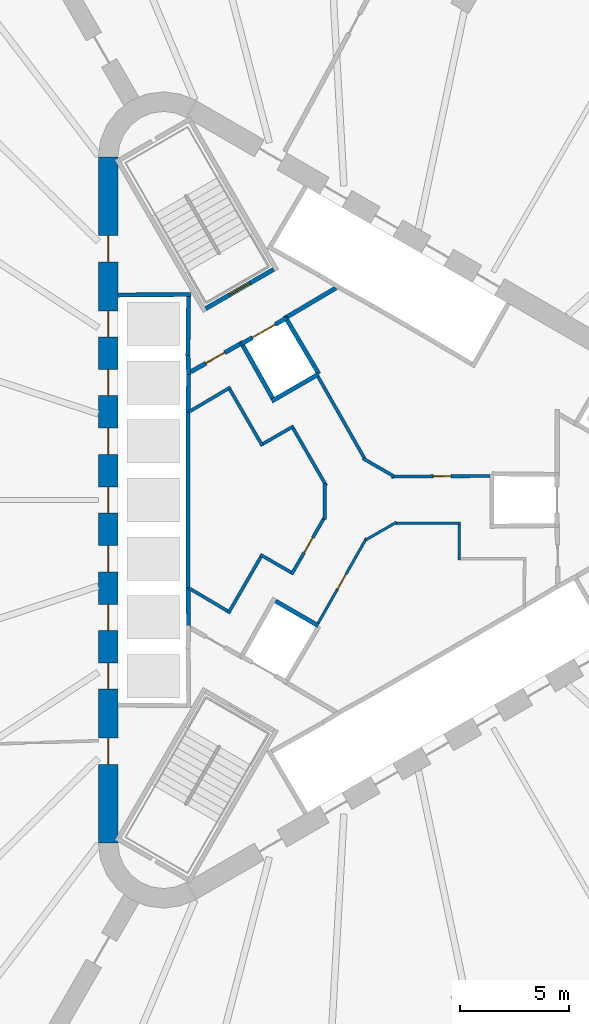
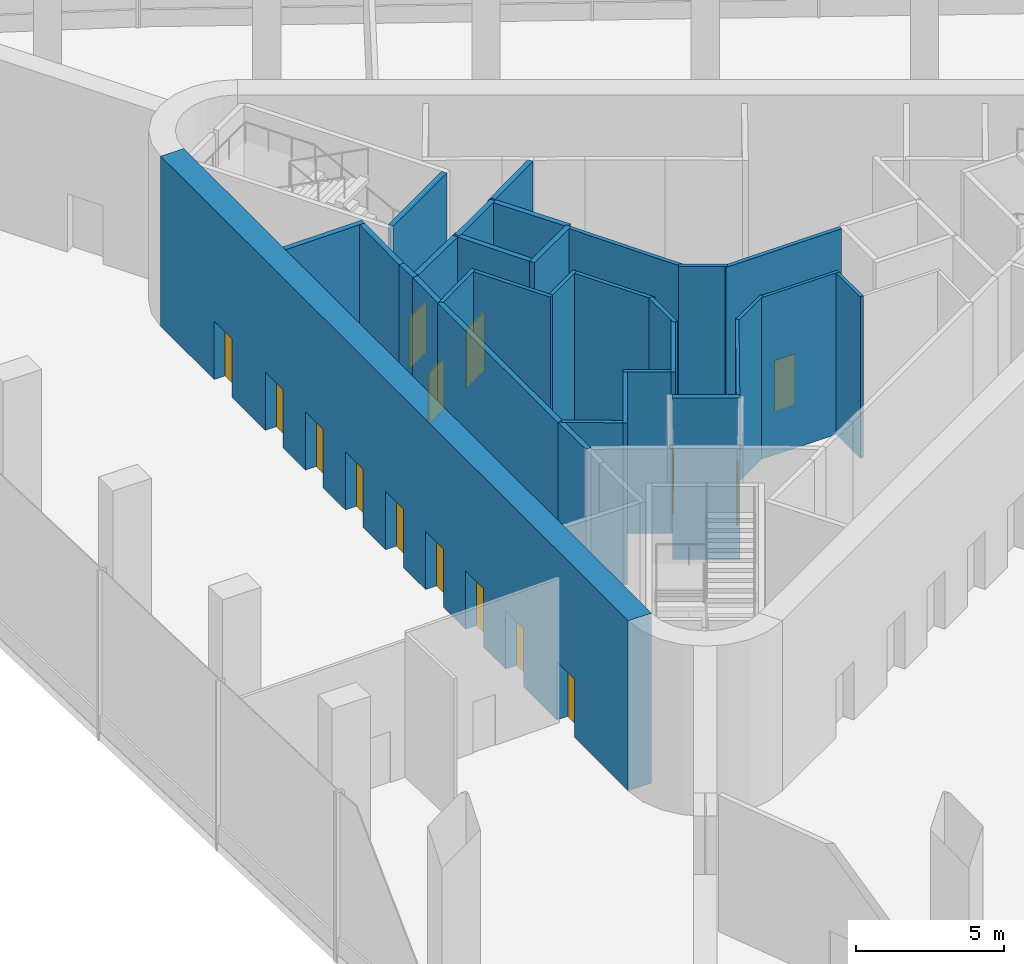
# One storey, part 9 of 15: 31 walls, 15 doors, 15 openings.
"""IFC4 building model written with IfcOpenShell, lengths in metres."""

from ifc_helpers import new_model, si_unit, direction, frame, frame_2d, origin, place, context, subcontext, project, spatial, rectangle, extrude, material, layer, layer_set, type_object, element, fill, save


model = new_model("IFC4")

# Units and contexts
model_context = context("Model", 3, precision=1e-05, world=origin(), true_north=direction((0.0, 1.0)))
body_context = subcontext(model_context, "Body", "Model", "MODEL_VIEW")
ifc_project = project(units=[si_unit("LENGTHUNIT", "METRE"), si_unit("AREAUNIT", "SQUARE_METRE"), si_unit("VOLUMEUNIT", "CUBIC_METRE"), si_unit("PLANEANGLEUNIT", "RADIAN"), si_unit("MASSUNIT", "GRAM", prefix="KILO")], contexts=[model_context])

# Site, building, storey
site_placement = place(None, origin())
site = spatial("IfcSite", under=ifc_project, at=site_placement, CompositionType="ELEMENT")
building_placement = place(site_placement, origin())
building = spatial("IfcBuilding", under=site, at=building_placement, Name="Tanit Gate Tower", CompositionType="ELEMENT")
storey_placement = place(building_placement, frame((0.0, 0.0, 156.199951171875)))
storey = spatial("IfcBuildingStorey", under=building, at=storey_placement, Name="L34", CompositionType="ELEMENT", Elevation=156.199951171875)

# Wall, openings, doors
ifc_material_1 = material(Name="Concrete C60/75", Category="concrete")
ifc_layer_1 = layer(ifc_material_1, 0.89990234375)
ifc_layer_set_1 = layer_set([ifc_layer_1], Name="CORE WALL 900 C60/75")
wall_type_1 = type_object("IfcWallType", Name="CORE WALL 900 C60/75", PredefinedType="SHEAR", material=ifc_layer_set_1)
wall_1_placement = place(storey_placement, frame((-11.64990234375, 15.76171875, 0.0), z_axis=(0.0, 0.0, 1.0), x_axis=(0.0, -1.0, 0.0)))
wall_1 = element("IfcWall", 1, at=wall_1_placement, inside=storey, type_object=wall_type_1, Name="CORE WALL", PredefinedType="SHEAR", context=body_context, shape_type="SweptSolid", body=[
    extrude(rectangle(XDim=31.5234375, YDim=0.89990234375, at=frame_2d((15.76171875, 0.0))), origin(), (0.0, 0.0, 1.0), 7.0),
])
opening_1_placement = place(wall_1_placement, frame((7.061767578125, 0.0, 0.0)))
opening_1 = element("IfcOpeningElement", 2, at=opening_1_placement, cuts=wall_1, Name="Opening LDML1-34", PredefinedType="OPENING", context=body_context, shape_type="SweptSolid", body=[
    extrude(rectangle(XDim=1.199951171875, YDim=2.39990234375, at=frame_2d((0.60009765625, 1.199951171875))), frame((0.0, 0.4599609375, 0.0), z_axis=(0.0, -1.0, 0.0), x_axis=(1.0, 0.0, 0.0)), (0.0, 0.0, 1.0), 0.919921875),
])
opening_2_placement = place(wall_1_placement, frame((9.76171875, 0.0, 0.0)))
opening_2 = element("IfcOpeningElement", 3, at=opening_2_placement, cuts=wall_1, Name="Opening LDML2-34", PredefinedType="OPENING", context=body_context, shape_type="SweptSolid", body=[
    extrude(rectangle(XDim=1.199951171875, YDim=2.39990234375, at=frame_2d((0.60009765625, 1.199951171875))), frame((0.0, 0.4599609375, 0.0), z_axis=(0.0, -1.0, 0.0), x_axis=(1.0, 0.0, 0.0)), (0.0, 0.0, 1.0), 0.919921875),
])
opening_3_placement = place(wall_1_placement, frame((12.461669921875, 0.0, 0.0)))
opening_3 = element("IfcOpeningElement", 4, at=opening_3_placement, cuts=wall_1, Name="Opening LDML3-34", PredefinedType="OPENING", context=body_context, shape_type="SweptSolid", body=[
    extrude(rectangle(XDim=1.199951171875, YDim=2.39990234375, at=frame_2d((0.60009765625, 1.199951171875))), frame((0.0, 0.4599609375, 0.0), z_axis=(0.0, -1.0, 0.0), x_axis=(1.0, 0.0, 0.0)), (0.0, 0.0, 1.0), 0.919921875),
])
opening_4_placement = place(wall_1_placement, frame((15.16162109375, 0.0, 0.0)))
opening_4 = element("IfcOpeningElement", 5, at=opening_4_placement, cuts=wall_1, Name="Opening LDML4-34", PredefinedType="OPENING", context=body_context, shape_type="SweptSolid", body=[
    extrude(rectangle(XDim=1.199951171875, YDim=2.39990234375, at=frame_2d((0.60009765625, 1.199951171875))), frame((0.0, 0.4599609375, 0.0), z_axis=(0.0, -1.0, 0.0), x_axis=(1.0, 0.0, 0.0)), (0.0, 0.0, 1.0), 0.919921875),
])
opening_5_placement = place(wall_1_placement, frame((17.86181640625, 0.0, 0.0)))
opening_5 = element("IfcOpeningElement", 6, at=opening_5_placement, cuts=wall_1, Name="Opening LDML5-34", PredefinedType="OPENING", context=body_context, shape_type="SweptSolid", body=[
    extrude(rectangle(XDim=1.199951171875, YDim=2.39990234375, at=frame_2d((0.60009765625, 1.199951171875))), frame((0.0, 0.4599609375, 0.0), z_axis=(0.0, -1.0, 0.0), x_axis=(1.0, 0.0, 0.0)), (0.0, 0.0, 1.0), 0.919921875),
])
opening_6_placement = place(wall_1_placement, frame((20.561767578125, 0.0, 0.0)))
opening_6 = element("IfcOpeningElement", 7, at=opening_6_placement, cuts=wall_1, Name="Opening LDML6-34", PredefinedType="OPENING", context=body_context, shape_type="SweptSolid", body=[
    extrude(rectangle(XDim=1.199951171875, YDim=2.39990234375, at=frame_2d((0.60009765625, 1.199951171875))), frame((0.0, 0.4599609375, 0.0), z_axis=(0.0, -1.0, 0.0), x_axis=(1.0, 0.0, 0.0)), (0.0, 0.0, 1.0), 0.919921875),
])
opening_7_placement = place(wall_1_placement, frame((23.26171875, 0.0, 0.0)))
opening_7 = element("IfcOpeningElement", 8, at=opening_7_placement, cuts=wall_1, Name="Opening LDML7-34", PredefinedType="OPENING", context=body_context, shape_type="SweptSolid", body=[
    extrude(rectangle(XDim=1.199951171875, YDim=2.39990234375, at=frame_2d((0.60009765625, 1.199951171875))), frame((0.0, 0.4599609375, 0.0), z_axis=(0.0, -1.0, 0.0), x_axis=(1.0, 0.0, 0.0)), (0.0, 0.0, 1.0), 0.919921875),
])
opening_8_placement = place(wall_1_placement, frame((3.61181640625, 0.0, 0.0)))
opening_8 = element("IfcOpeningElement", 9, at=opening_8_placement, cuts=wall_1, Name="Opening F12-34-FL2", PredefinedType="OPENING", context=body_context, shape_type="SweptSolid", body=[
    extrude(rectangle(XDim=1.199951171875, YDim=2.39990234375, at=frame_2d((0.60009765625, 1.199951171875))), frame((0.0, 0.4599609375, 0.0), z_axis=(0.0, -1.0, 0.0), x_axis=(1.0, 0.0, 0.0)), (0.0, 0.0, 1.0), 0.919921875),
])
opening_9_placement = place(wall_1_placement, frame((26.711669921875, 0.0, 0.0)))
opening_9 = element("IfcOpeningElement", 10, at=opening_9_placement, cuts=wall_1, Name="Opening F12-34-S3", PredefinedType="OPENING", context=body_context, shape_type="SweptSolid", body=[
    extrude(rectangle(XDim=1.199951171875, YDim=2.39990234375, at=frame_2d((0.60009765625, 1.199951171875))), frame((0.0, 0.4599609375, 0.0), z_axis=(0.0, -1.0, 0.0), x_axis=(1.0, 0.0, 0.0)), (0.0, 0.0, 1.0), 0.919921875),
])
ifc_material_2 = material(Name="Fire-rated steel door leaf", Category="steel")
door_type_1 = type_object("IfcDoorType", Name="INT-DOOR-FIRE-LOBBY-1200", OperationType="NOTDEFINED", PredefinedType="USERDEFINED", material=ifc_material_2)
door_1_placement = place(opening_8_placement, origin())
door_1 = element("IfcDoor", 11, at=door_1_placement, inside=storey, type_object=door_type_1, Name="Door F12-34-FL2", ObjectType="FIRE DOOR", OperationType="SINGLE_SWING_LEFT", OverallHeight=2.39990234375, OverallWidth=1.199951171875, PredefinedType="USERDEFINED", context=body_context, shape_type="SweptSolid", body=[
    extrude(rectangle(XDim=1.199951171875, YDim=2.39990234375, at=frame_2d((0.60009765625, 1.199951171875))), frame((0.0, 0.02490234375, 0.0), z_axis=(0.0, -1.0, 0.0), x_axis=(1.0, 0.0, 0.0)), (0.0, 0.0, 1.0), 0.050048828125),
])
fill(opening_8, door_1)
door_2_placement = place(opening_9_placement, origin())
door_2 = element("IfcDoor", 12, at=door_2_placement, inside=storey, type_object=door_type_1, Name="Door F12-34-S3", ObjectType="FIRE DOOR", OperationType="SINGLE_SWING_RIGHT", OverallHeight=2.39990234375, OverallWidth=1.199951171875, PredefinedType="USERDEFINED", context=body_context, shape_type="SweptSolid", body=[
    extrude(rectangle(XDim=1.199951171875, YDim=2.39990234375, at=frame_2d((0.60009765625, 1.199951171875))), frame((0.0, 0.02490234375, 0.0), z_axis=(0.0, -1.0, 0.0), x_axis=(1.0, 0.0, 0.0)), (0.0, 0.0, 1.0), 0.050048828125),
])
fill(opening_9, door_2)
ifc_material_3 = material(Name="Stainless steel sliding door leaf", Category="steel")
door_type_2 = type_object("IfcDoorType", Name="INT-DOOR-LANDING-1200", OperationType="NOTDEFINED", PredefinedType="USERDEFINED", material=ifc_material_3)
door_3_placement = place(opening_1_placement, origin())
door_3 = element("IfcDoor", 13, at=door_3_placement, inside=storey, type_object=door_type_2, Name="Door LDML1-34", ObjectType="LANDING DOOR", OperationType="SLIDING_TO_LEFT", OverallHeight=2.39990234375, OverallWidth=1.199951171875, PredefinedType="USERDEFINED", context=body_context, shape_type="SweptSolid", body=[
    extrude(rectangle(XDim=1.199951171875, YDim=2.39990234375, at=frame_2d((0.60009765625, 1.199951171875))), frame((0.0, 0.02490234375, 0.0), z_axis=(0.0, -1.0, 0.0), x_axis=(1.0, 0.0, 0.0)), (0.0, 0.0, 1.0), 0.050048828125),
])
fill(opening_1, door_3)
door_4_placement = place(opening_2_placement, origin())
door_4 = element("IfcDoor", 14, at=door_4_placement, inside=storey, type_object=door_type_2, Name="Door LDML2-34", ObjectType="LANDING DOOR", OperationType="SLIDING_TO_LEFT", OverallHeight=2.39990234375, OverallWidth=1.199951171875, PredefinedType="USERDEFINED", context=body_context, shape_type="SweptSolid", body=[
    extrude(rectangle(XDim=1.199951171875, YDim=2.39990234375, at=frame_2d((0.60009765625, 1.199951171875))), frame((0.0, 0.02490234375, 0.0), z_axis=(0.0, -1.0, 0.0), x_axis=(1.0, 0.0, 0.0)), (0.0, 0.0, 1.0), 0.050048828125),
])
fill(opening_2, door_4)
door_5_placement = place(opening_3_placement, origin())
door_5 = element("IfcDoor", 15, at=door_5_placement, inside=storey, type_object=door_type_2, Name="Door LDML3-34", ObjectType="LANDING DOOR", OperationType="SLIDING_TO_LEFT", OverallHeight=2.39990234375, OverallWidth=1.199951171875, PredefinedType="USERDEFINED", context=body_context, shape_type="SweptSolid", body=[
    extrude(rectangle(XDim=1.199951171875, YDim=2.39990234375, at=frame_2d((0.60009765625, 1.199951171875))), frame((0.0, 0.02490234375, 0.0), z_axis=(0.0, -1.0, 0.0), x_axis=(1.0, 0.0, 0.0)), (0.0, 0.0, 1.0), 0.050048828125),
])
fill(opening_3, door_5)
door_6_placement = place(opening_4_placement, origin())
door_6 = element("IfcDoor", 16, at=door_6_placement, inside=storey, type_object=door_type_2, Name="Door LDML4-34", ObjectType="LANDING DOOR", OperationType="SLIDING_TO_LEFT", OverallHeight=2.39990234375, OverallWidth=1.199951171875, PredefinedType="USERDEFINED", context=body_context, shape_type="SweptSolid", body=[
    extrude(rectangle(XDim=1.199951171875, YDim=2.39990234375, at=frame_2d((0.60009765625, 1.199951171875))), frame((0.0, 0.02490234375, 0.0), z_axis=(0.0, -1.0, 0.0), x_axis=(1.0, 0.0, 0.0)), (0.0, 0.0, 1.0), 0.050048828125),
])
fill(opening_4, door_6)
door_7_placement = place(opening_5_placement, origin())
door_7 = element("IfcDoor", 17, at=door_7_placement, inside=storey, type_object=door_type_2, Name="Door LDML5-34", ObjectType="LANDING DOOR", OperationType="SLIDING_TO_LEFT", OverallHeight=2.39990234375, OverallWidth=1.199951171875, PredefinedType="USERDEFINED", context=body_context, shape_type="SweptSolid", body=[
    extrude(rectangle(XDim=1.199951171875, YDim=2.39990234375, at=frame_2d((0.60009765625, 1.199951171875))), frame((0.0, 0.02490234375, 0.0), z_axis=(0.0, -1.0, 0.0), x_axis=(1.0, 0.0, 0.0)), (0.0, 0.0, 1.0), 0.050048828125),
])
fill(opening_5, door_7)
door_8_placement = place(opening_6_placement, origin())
door_8 = element("IfcDoor", 18, at=door_8_placement, inside=storey, type_object=door_type_2, Name="Door LDML6-34", ObjectType="LANDING DOOR", OperationType="SLIDING_TO_LEFT", OverallHeight=2.39990234375, OverallWidth=1.199951171875, PredefinedType="USERDEFINED", context=body_context, shape_type="SweptSolid", body=[
    extrude(rectangle(XDim=1.199951171875, YDim=2.39990234375, at=frame_2d((0.60009765625, 1.199951171875))), frame((0.0, 0.02490234375, 0.0), z_axis=(0.0, -1.0, 0.0), x_axis=(1.0, 0.0, 0.0)), (0.0, 0.0, 1.0), 0.050048828125),
])
fill(opening_6, door_8)
door_9_placement = place(opening_7_placement, origin())
door_9 = element("IfcDoor", 19, at=door_9_placement, inside=storey, type_object=door_type_2, Name="Door LDML7-34", ObjectType="LANDING DOOR", OperationType="SLIDING_TO_LEFT", OverallHeight=2.39990234375, OverallWidth=1.199951171875, PredefinedType="USERDEFINED", context=body_context, shape_type="SweptSolid", body=[
    extrude(rectangle(XDim=1.199951171875, YDim=2.39990234375, at=frame_2d((0.60009765625, 1.199951171875))), frame((0.0, 0.02490234375, 0.0), z_axis=(0.0, -1.0, 0.0), x_axis=(1.0, 0.0, 0.0)), (0.0, 0.0, 1.0), 0.050048828125),
])
fill(opening_7, door_9)

# Wall
ifc_material_4 = material(Name="Fire-rated gypsum board partition")
ifc_layer_2 = layer(ifc_material_4, 0.199951171875)
ifc_layer_set_2 = layer_set([ifc_layer_2], Name="INT-WALL-COMPARTMENT")
wall_type_2 = type_object("IfcWallType", Name="INT-WALL-COMPARTMENT", PredefinedType="PARTITIONING", material=ifc_layer_set_2)
wall_2_placement = place(storey_placement, frame((-1.1796875, 9.744384765625, 0.0), z_axis=(0.0, 0.0, 1.0), x_axis=(-0.860615607571, -0.509255118781, 0.0)))
element("IfcWall", 20, at=wall_2_placement, inside=storey, type_object=wall_type_2, Name="Wall Compartment W064", PredefinedType="PARTITIONING", context=body_context, shape_type="SweptSolid", body=[
    extrude(rectangle(XDim=2.58056640625, YDim=0.199951171875, at=frame_2d((1.290283203125, 0.0))), origin(), (0.0, 0.0, 1.0), 6.650146484375),
])

# Wall, opening, door
wall_3_placement = place(storey_placement, frame((-5.600341796875, 7.16015625, 0.0), z_axis=(0.0, 0.0, 1.0), x_axis=(-0.871363259478, -0.490638431059, 0.0)))
wall_3 = element("IfcWall", 21, at=wall_3_placement, inside=storey, type_object=wall_type_2, Name="Wall Compartment W065", PredefinedType="PARTITIONING", context=body_context, shape_type="SweptSolid", body=[
    extrude(rectangle(XDim=2.5810546875, YDim=0.199951171875, at=frame_2d((1.29052734375, 0.0))), origin(), (0.0, 0.0, 1.0), 6.650146484375),
])
opening_10_placement = place(wall_3_placement, frame((0.79052734375, 0.0, 0.0)))
opening_10 = element("IfcOpeningElement", 22, at=opening_10_placement, cuts=wall_3, Name="Opening F10-34-05", PredefinedType="OPENING", context=body_context, shape_type="SweptSolid", body=[
    extrude(rectangle(XDim=1.0, YDim=2.10009765625, at=frame_2d((0.5, 1.050048828125))), frame((0.0, 0.10986328125, 0.0), z_axis=(0.0, -1.0, 0.0), x_axis=(1.0, 0.0, 0.0)), (0.0, 0.0, 1.0), 0.219970703125),
])
ifc_material_5 = material(Name="Fire-rated steel door leaf", Category="steel")
door_type_3 = type_object("IfcDoorType", Name="INT-DOOR-FIRE-1000", OperationType="NOTDEFINED", PredefinedType="USERDEFINED", material=ifc_material_5)
door_10_placement = place(opening_10_placement, origin())
door_10 = element("IfcDoor", 23, at=door_10_placement, inside=storey, type_object=door_type_3, Name="Door F10-34-05", ObjectType="FIRE DOOR", OperationType="SINGLE_SWING_RIGHT", OverallHeight=2.10009765625, OverallWidth=1.0, PredefinedType="USERDEFINED", context=body_context, shape_type="SweptSolid", body=[
    extrude(rectangle(XDim=1.0, YDim=2.10009765625, at=frame_2d((0.5, 1.050048828125))), frame((0.0, 0.02490234375, 0.0), z_axis=(0.0, -1.0, 0.0), x_axis=(1.0, 0.0, 0.0)), (0.0, 0.0, 1.0), 0.050048828125),
])
fill(opening_10, door_10)

ifc_material_6 = material(Name="Gypsum board partition")
ifc_layer_3 = layer(ifc_material_6, 0.1201171875)
ifc_layer_set_3 = layer_set([ifc_layer_3], Name="INT-WALL-PARTITION")
wall_type_3 = type_object("IfcWallType", Name="INT-WALL-PARTITION", PredefinedType="PARTITIONING", material=ifc_layer_set_3)
wall_4_placement = place(storey_placement, frame((0.223876953125, -1.760986328125, 0.0), z_axis=(0.0, 0.0, 1.0), x_axis=(-0.494327216836, -0.869275907118, 0.0)))
wall_4 = element("IfcWall", 24, at=wall_4_placement, inside=storey, type_object=wall_type_3, Name="Wall Partition W071", PredefinedType="PARTITIONING", context=body_context, shape_type="SweptSolid", body=[
    extrude(rectangle(XDim=4.487060546875, YDim=0.1201171875, at=frame_2d((2.24365234375, 0.0))), origin(), (0.0, 0.0, 1.0), 6.650146484375),
])
opening_11_placement = place(wall_4_placement, frame((1.89453125, 0.0, 0.0)))
opening_11 = element("IfcOpeningElement", 25, at=opening_11_placement, cuts=wall_4, Name="Opening R08-34-11", PredefinedType="OPENING", context=body_context, shape_type="SweptSolid", body=[
    extrude(rectangle(XDim=0.800048828125, YDim=2.10009765625, at=frame_2d((0.39990234375, 1.050048828125))), frame((0.0, 0.070068359375, 0.0), z_axis=(0.0, -1.0, 0.0), x_axis=(1.0, 0.0, 0.0)), (0.0, 0.0, 1.0), 0.14013671875),
])
ifc_material_7 = material(Name="Timber door leaf", Category="wood")
door_type_4 = type_object("IfcDoorType", Name="INT-DOOR-RISER-800", OperationType="NOTDEFINED", PredefinedType="USERDEFINED", material=ifc_material_7)
door_11_placement = place(opening_11_placement, origin())
door_11 = element("IfcDoor", 26, at=door_11_placement, inside=storey, type_object=door_type_4, Name="Door R08-34-11", ObjectType="FIRE DOOR", OperationType="SINGLE_SWING_RIGHT", OverallHeight=2.10009765625, OverallWidth=0.800048828125, PredefinedType="USERDEFINED", context=body_context, shape_type="SweptSolid", body=[
    extrude(rectangle(XDim=0.800048828125, YDim=2.10009765625, at=frame_2d((0.39990234375, 1.050048828125))), frame((0.0, 0.02490234375, 0.0), z_axis=(0.0, -1.0, 0.0), x_axis=(1.0, 0.0, 0.0)), (0.0, 0.0, 1.0), 0.050048828125),
])
fill(opening_11, door_11)

# Walls
wall_5_placement = place(storey_placement, frame((1.60546875, -1.02294921875, 0.0), z_axis=(0.0, 0.0, 1.0), x_axis=(-0.866001581989, -0.50004125829, 0.0)))
element("IfcWall", 27, at=wall_5_placement, inside=storey, type_object=wall_type_3, Name="Wall Partition W072", PredefinedType="PARTITIONING", context=body_context, shape_type="SweptSolid", body=[
    extrude(rectangle(XDim=1.635009765625, YDim=0.1201171875, at=frame_2d((0.8173828125, 0.0))), origin(), (0.0, 0.0, 1.0), 6.650146484375),
])
wall_6_placement = place(storey_placement, frame((4.56005859375, -1.074951171875, 0.0), z_axis=(0.0, 0.0, 1.0), x_axis=(-1.0, 0.0, 0.0)))
element("IfcWall", 28, at=wall_6_placement, inside=storey, type_object=wall_type_3, Name="Wall Partition W073", PredefinedType="PARTITIONING", context=body_context, shape_type="SweptSolid", body=[
    extrude(rectangle(XDim=3.02587890625, YDim=0.1201171875, at=frame_2d((1.512939453125, 0.0))), origin(), (0.0, 0.0, 1.0), 6.650146484375),
])
wall_7_placement = place(storey_placement, frame((4.5, -2.760009765625, 0.0), z_axis=(0.0, 0.0, 1.0), x_axis=(0.0, 1.0, 0.0)))
element("IfcWall", 29, at=wall_7_placement, inside=storey, type_object=wall_type_3, Name="Wall Partition W074", PredefinedType="PARTITIONING", context=body_context, shape_type="SweptSolid", body=[
    extrude(rectangle(XDim=1.625, YDim=0.1201171875, at=frame_2d((0.8125, 0.0))), origin(), (0.0, 0.0, 1.0), 6.650146484375),
])

# Wall, opening, door
ifc_material_8 = material(Name="Fire-rated gypsum board partition")
ifc_layer_4 = layer(ifc_material_8, 0.14990234375)
ifc_layer_set_4 = layer_set([ifc_layer_4], Name="INT-WALL-RISER")
wall_type_4 = type_object("IfcWallType", Name="INT-WALL-RISER", PredefinedType="PLUMBINGWALL", material=ifc_layer_set_4)
wall_8_placement = place(storey_placement, frame((1.3876953125, 1.07421875, 0.0), z_axis=(0.0, 0.0, 1.0), x_axis=(0.99997856967, 0.006546770205, 0.0)))
wall_8 = element("IfcWall", 30, at=wall_8_placement, inside=storey, type_object=wall_type_4, Name="Wall Riser W068", PredefinedType="PLUMBINGWALL", context=body_context, shape_type="SweptSolid", body=[
    extrude(rectangle(XDim=4.51220703125, YDim=0.14990234375, at=frame_2d((2.256103515625, 0.0))), origin(), (0.0, 0.0, 1.0), 6.650146484375),
])
opening_12_placement = place(wall_8_placement, frame((1.920166015625, 0.0, 0.0)))
opening_12 = element("IfcOpeningElement", 31, at=opening_12_placement, cuts=wall_8, Name="Opening R08-34-10", PredefinedType="OPENING", context=body_context, shape_type="SweptSolid", body=[
    extrude(rectangle(XDim=0.800048828125, YDim=2.10009765625, at=frame_2d((0.39990234375, 1.050048828125))), frame((0.0, 0.0849609375, 0.0), z_axis=(0.0, -1.0, 0.0), x_axis=(1.0, 0.0, 0.0)), (0.0, 0.0, 1.0), 0.169921875),
])
door_12_placement = place(opening_12_placement, origin())
door_12 = element("IfcDoor", 32, at=door_12_placement, inside=storey, type_object=door_type_4, Name="Door R08-34-10", ObjectType="FIRE DOOR", OperationType="SINGLE_SWING_LEFT", OverallHeight=2.10009765625, OverallWidth=0.800048828125, PredefinedType="USERDEFINED", context=body_context, shape_type="SweptSolid", body=[
    extrude(rectangle(XDim=0.800048828125, YDim=2.10009765625, at=frame_2d((0.39990234375, 1.050048828125))), frame((0.0, 0.02490234375, 0.0), z_axis=(0.0, -1.0, 0.0), x_axis=(1.0, 0.0, 0.0)), (0.0, 0.0, 1.0), 0.050048828125),
])
fill(opening_12, door_12)

# Walls
wall_9_placement = place(storey_placement, frame((0.0625, 1.9140625, 0.0), z_axis=(0.0, 0.0, 1.0), x_axis=(0.866018462269, -0.500012022864, 0.0)))
element("IfcWall", 33, at=wall_9_placement, inside=storey, type_object=wall_type_4, Name="Wall Riser W069", PredefinedType="PLUMBINGWALL", context=body_context, shape_type="SweptSolid", body=[
    extrude(rectangle(XDim=1.654296875, YDim=0.14990234375, at=frame_2d((0.8271484375, 0.0))), origin(), (0.0, 0.0, 1.0), 6.650146484375),
])
wall_10_placement = place(storey_placement, frame((-1.994140625, 5.661376953125, 0.0), z_axis=(0.0, 0.0, 1.0), x_axis=(0.494341211302, -0.869267948798, 0.0)))
element("IfcWall", 34, at=wall_10_placement, inside=storey, type_object=wall_type_4, Name="Wall Riser W070", PredefinedType="PLUMBINGWALL", context=body_context, shape_type="SweptSolid", body=[
    extrude(rectangle(XDim=4.36083984375, YDim=0.14990234375, at=frame_2d((2.180419921875, 0.0))), origin(), (0.0, 0.0, 1.0), 6.650146484375),
])
wall_11_placement = place(storey_placement, frame((-6.023681640625, 5.183349609375, 0.0), z_axis=(0.0, 0.0, 1.0), x_axis=(-0.860126804455, -0.510080268447, 0.0)))
element("IfcWall", 35, at=wall_11_placement, inside=storey, type_object=wall_type_4, Name="Wall Riser W077", PredefinedType="PLUMBINGWALL", context=body_context, shape_type="SweptSolid", body=[
    extrude(rectangle(XDim=2.239501953125, YDim=0.14990234375, at=frame_2d((1.11962890625, 0.0))), origin(), (0.0, 0.0, 1.0), 6.650146484375),
])
wall_12_placement = place(storey_placement, frame((-4.55078125, 2.482177734375, 0.0), z_axis=(0.0, 0.0, 1.0), x_axis=(-0.499990139034, 0.866031096941, 0.0)))
element("IfcWall", 36, at=wall_12_placement, inside=storey, type_object=wall_type_4, Name="Wall Riser W078", PredefinedType="PLUMBINGWALL", context=body_context, shape_type="SweptSolid", body=[
    extrude(rectangle(XDim=3.0, YDim=0.14990234375, at=frame_2d((1.5, 0.0))), origin(), (0.0, 0.0, 1.0), 6.650146484375),
])
wall_13_placement = place(storey_placement, frame((-3.115966796875, 3.397216796875, 0.0), z_axis=(0.0, 0.0, 1.0), x_axis=(-0.866053003207, -0.499952193351, 0.0)))
element("IfcWall", 37, at=wall_13_placement, inside=storey, type_object=wall_type_4, Name="Wall Riser W079", PredefinedType="PLUMBINGWALL", context=body_context, shape_type="SweptSolid", body=[
    extrude(rectangle(XDim=1.625244140625, YDim=0.14990234375, at=frame_2d((0.8125, 0.0))), origin(), (0.0, 0.0, 1.0), 6.650146484375),
])
wall_14_placement = place(storey_placement, frame((-1.623779296875, 0.66259765625, 0.0), z_axis=(0.0, 0.0, 1.0), x_axis=(-0.500035348339, 0.866004994449, 0.0)))
element("IfcWall", 38, at=wall_14_placement, inside=storey, type_object=wall_type_4, Name="Wall Riser W080", PredefinedType="PLUMBINGWALL", context=body_context, shape_type="SweptSolid", body=[
    extrude(rectangle(XDim=3.039306640625, YDim=0.14990234375, at=frame_2d((1.51953125, 0.0))), origin(), (0.0, 0.0, 1.0), 6.650146484375),
])
wall_15_placement = place(storey_placement, frame((-1.688720703125, -0.90478515625, 0.0), z_axis=(0.0, 0.0, 1.0), x_axis=(0.0, 1.0, 0.0)))
element("IfcWall", 39, at=wall_15_placement, inside=storey, type_object=wall_type_4, Name="Wall Riser W081", PredefinedType="PLUMBINGWALL", context=body_context, shape_type="SweptSolid", body=[
    extrude(rectangle(XDim=1.656494140625, YDim=0.14990234375, at=frame_2d((0.828125, 0.0))), origin(), (0.0, 0.0, 1.0), 6.650146484375),
])

# Wall, opening, door
wall_16_placement = place(storey_placement, frame((-3.218505859375, -3.424560546875, 0.0), z_axis=(0.0, 0.0, 1.0), x_axis=(0.499996236806, 0.866027576455, 0.0)))
wall_16 = element("IfcWall", 40, at=wall_16_placement, inside=storey, type_object=wall_type_4, Name="Wall Riser W082", PredefinedType="PLUMBINGWALL", context=body_context, shape_type="SweptSolid", body=[
    extrude(rectangle(XDim=3.0361328125, YDim=0.14990234375, at=frame_2d((1.51806640625, 0.0))), origin(), (0.0, 0.0, 1.0), 6.650146484375),
])
opening_13_placement = place(wall_16_placement, frame((1.155517578125, 0.0, 0.0)))
opening_13 = element("IfcOpeningElement", 41, at=opening_13_placement, cuts=wall_16, Name="Opening R08-34-12", PredefinedType="OPENING", context=body_context, shape_type="SweptSolid", body=[
    extrude(rectangle(XDim=0.800048828125, YDim=2.10009765625, at=frame_2d((0.39990234375, 1.050048828125))), frame((0.0, 0.0849609375, 0.0), z_axis=(0.0, -1.0, 0.0), x_axis=(1.0, 0.0, 0.0)), (0.0, 0.0, 1.0), 0.169921875),
])
door_13_placement = place(opening_13_placement, origin())
door_13 = element("IfcDoor", 42, at=door_13_placement, inside=storey, type_object=door_type_4, Name="Door R08-34-12", ObjectType="FIRE DOOR", OperationType="SINGLE_SWING_RIGHT", OverallHeight=2.10009765625, OverallWidth=0.800048828125, PredefinedType="USERDEFINED", context=body_context, shape_type="SweptSolid", body=[
    extrude(rectangle(XDim=0.800048828125, YDim=2.10009765625, at=frame_2d((0.39990234375, 1.050048828125))), frame((0.0, 0.02490234375, 0.0), z_axis=(0.0, -1.0, 0.0), x_axis=(1.0, 0.0, 0.0)), (0.0, 0.0, 1.0), 0.050048828125),
])
fill(opening_13, door_13)

# Walls
wall_17_placement = place(storey_placement, frame((-4.6533203125, -2.509521484375, 0.0), z_axis=(0.0, 0.0, 1.0), x_axis=(0.866053003207, -0.499952193351, 0.0)))
element("IfcWall", 43, at=wall_17_placement, inside=storey, type_object=wall_type_4, Name="Wall Riser W083", PredefinedType="PLUMBINGWALL", context=body_context, shape_type="SweptSolid", body=[
    extrude(rectangle(XDim=1.625244140625, YDim=0.14990234375, at=frame_2d((0.8125, 0.0))), origin(), (0.0, 0.0, 1.0), 6.650146484375),
])
wall_18_placement = place(storey_placement, frame((-6.125732421875, -5.210205078125, 0.0), z_axis=(0.0, 0.0, 1.0), x_axis=(0.499990139034, 0.866031096941, 0.0)))
element("IfcWall", 44, at=wall_18_placement, inside=storey, type_object=wall_type_4, Name="Wall Riser W084", PredefinedType="PLUMBINGWALL", context=body_context, shape_type="SweptSolid", body=[
    extrude(rectangle(XDim=3.0, YDim=0.14990234375, at=frame_2d((1.5, 0.0))), origin(), (0.0, 0.0, 1.0), 6.650146484375),
])
wall_19_placement = place(storey_placement, frame((-7.949951171875, -4.041015625, 0.0), z_axis=(0.0, 0.0, 1.0), x_axis=(0.860090281069, -0.510141851263, 0.0)))
element("IfcWall", 45, at=wall_19_placement, inside=storey, type_object=wall_type_4, Name="Wall Riser W085", PredefinedType="PLUMBINGWALL", context=body_context, shape_type="SweptSolid", body=[
    extrude(rectangle(XDim=2.08935546875, YDim=0.14990234375, at=frame_2d((1.044677734375, 0.0))), origin(), (0.0, 0.0, 1.0), 6.650146484375),
])
ifc_material_9 = material(Name="Gypsum shaft wall system")
ifc_layer_5 = layer(ifc_material_9, 0.199951171875)
ifc_layer_set_5 = layer_set([ifc_layer_5], Name="INT-WALL-SHAFT")
wall_type_5 = type_object("IfcWallType", Name="INT-WALL-SHAFT", PredefinedType="PLUMBINGWALL", material=ifc_layer_set_5)
wall_20_placement = place(storey_placement, frame((-11.199951171875, 9.419921875, 0.0), z_axis=(0.0, 0.0, 1.0), x_axis=(0.999957167047, 0.009255488683, 0.0)))
element("IfcWall", 46, at=wall_20_placement, inside=storey, type_object=wall_type_5, Name="Wall Shaft W001", PredefinedType="PLUMBINGWALL", context=body_context, shape_type="SweptSolid", body=[
    extrude(rectangle(XDim=3.35009765625, YDim=0.199951171875, at=frame_2d((1.675048828125, 0.0))), origin(), (0.0, 0.0, 1.0), 6.650146484375),
])
wall_21_placement = place(storey_placement, frame((-7.951171875, 9.35009765625, 0.0), z_axis=(0.0, 0.0, 1.0), x_axis=(-0.011120469654, -0.999938165666, 0.0)))
element("IfcWall", 47, at=wall_21_placement, inside=storey, type_object=wall_type_5, Name="Wall Shaft W002", PredefinedType="PLUMBINGWALL", context=body_context, shape_type="SweptSolid", body=[
    extrude(rectangle(XDim=2.700439453125, YDim=0.199951171875, at=frame_2d((1.35009765625, 0.0))), origin(), (0.0, 0.0, 1.0), 6.650146484375),
])
wall_22_placement = place(storey_placement, frame((-7.97705078125, 6.650146484375, 0.0), z_axis=(0.0, 0.0, 1.0), x_axis=(0.030861509705, -0.999523670164, 0.0)))
element("IfcWall", 48, at=wall_22_placement, inside=storey, type_object=wall_type_5, Name="Wall Shaft W003", PredefinedType="PLUMBINGWALL", context=body_context, shape_type="SweptSolid", body=[
    extrude(rectangle(XDim=0.878173828125, YDim=0.199951171875, at=frame_2d((0.43896484375, 0.0))), origin(), (0.0, 0.0, 1.0), 6.650146484375),
])
wall_23_placement = place(storey_placement, frame((-7.94921875, 5.894775390625, 0.0), z_axis=(0.0, 0.0, 1.0), x_axis=(-0.012042535896, -0.999927486035, 0.0)))
element("IfcWall", 49, at=wall_23_placement, inside=storey, type_object=wall_type_5, Name="Wall Shaft W004", PredefinedType="PLUMBINGWALL", context=body_context, shape_type="SweptSolid", body=[
    extrude(rectangle(XDim=1.844970703125, YDim=0.199951171875, at=frame_2d((0.92236328125, 0.0))), origin(), (0.0, 0.0, 1.0), 6.650146484375),
])
wall_24_placement = place(storey_placement, frame((-7.97998046875, 4.050048828125, 0.0), z_axis=(0.0, 0.0, 1.0), x_axis=(0.0, -1.0, 0.0)))
element("IfcWall", 50, at=wall_24_placement, inside=storey, type_object=wall_type_5, Name="Wall Shaft W005", PredefinedType="PLUMBINGWALL", context=body_context, shape_type="SweptSolid", body=[
    extrude(rectangle(XDim=8.10009765625, YDim=0.199951171875, at=frame_2d((4.050048828125, 0.0))), origin(), (0.0, 0.0, 1.0), 6.650146484375),
])
wall_25_placement = place(storey_placement, frame((-7.971435546875, -4.050048828125, 0.0), z_axis=(0.0, 0.0, 1.0), x_axis=(0.012042535896, -0.999927486035, 0.0)))
element("IfcWall", 51, at=wall_25_placement, inside=storey, type_object=wall_type_5, Name="Wall Shaft W009", PredefinedType="PLUMBINGWALL", context=body_context, shape_type="SweptSolid", body=[
    extrude(rectangle(XDim=1.844970703125, YDim=0.199951171875, at=frame_2d((0.92236328125, 0.0))), origin(), (0.0, 0.0, 1.0), 6.650146484375),
])

# Wall, opening, door
wall_26_placement = place(storey_placement, frame((-5.524169921875, 7.168212890625, 0.0), z_axis=(0.0, 0.0, 1.0), x_axis=(0.866024647952, 0.500001309137, 0.0)))
wall_26 = element("IfcWall", 52, at=wall_26_placement, inside=storey, type_object=wall_type_5, Name="Wall Shaft W046", PredefinedType="PLUMBINGWALL", context=body_context, shape_type="SweptSolid", body=[
    extrude(rectangle(XDim=2.39990234375, YDim=0.199951171875, at=frame_2d((1.199951171875, 0.0))), origin(), (0.0, 0.0, 1.0), 6.650146484375),
])
opening_14_placement = place(wall_26_placement, frame((0.60009765625, 0.0, 0.0)))
opening_14 = element("IfcOpeningElement", 53, at=opening_14_placement, cuts=wall_26, Name="Opening LDFL2-L34", PredefinedType="OPENING", context=body_context, shape_type="SweptSolid", body=[
    extrude(rectangle(XDim=1.199951171875, YDim=2.39990234375, at=frame_2d((0.60009765625, 1.199951171875))), frame((0.0, 0.10986328125, 0.0), z_axis=(0.0, -1.0, 0.0), x_axis=(1.0, 0.0, 0.0)), (0.0, 0.0, 1.0), 0.219970703125),
])
door_14_placement = place(opening_14_placement, origin())
door_14 = element("IfcDoor", 54, at=door_14_placement, inside=storey, type_object=door_type_2, Name="Door LDFL2-L34", ObjectType="LANDING DOOR", OperationType="SLIDING_TO_LEFT", OverallHeight=2.39990234375, OverallWidth=1.199951171875, PredefinedType="USERDEFINED", context=body_context, shape_type="SweptSolid", body=[
    extrude(rectangle(XDim=1.199951171875, YDim=2.39990234375, at=frame_2d((0.60009765625, 1.199951171875))), frame((0.0, 0.02490234375, 0.0), z_axis=(0.0, -1.0, 0.0), x_axis=(1.0, 0.0, 0.0)), (0.0, 0.0, 1.0), 0.050048828125),
])
fill(opening_14, door_14)

# Walls
wall_27_placement = place(storey_placement, frame((-3.53759765625, 8.46533203125, 0.0), z_axis=(0.0, 0.0, 1.0), x_axis=(0.508647062354, -0.860975125052, 0.0)))
element("IfcWall", 55, at=wall_27_placement, inside=storey, type_object=wall_type_5, Name="Wall Shaft W047", PredefinedType="PLUMBINGWALL", context=body_context, shape_type="SweptSolid", body=[
    extrude(rectangle(XDim=3.10009765625, YDim=0.199951171875, at=frame_2d((1.550048828125, 0.0))), origin(), (0.0, 0.0, 1.0), 6.650146484375),
])
wall_28_placement = place(storey_placement, frame((-1.978515625, 5.785888671875, 0.0), z_axis=(0.0, 0.0, 1.0), x_axis=(-0.866016689309, -0.500015093611, 0.0)))
element("IfcWall", 56, at=wall_28_placement, inside=storey, type_object=wall_type_5, Name="Wall Shaft W048", PredefinedType="PLUMBINGWALL", context=body_context, shape_type="SweptSolid", body=[
    extrude(rectangle(XDim=2.4794921875, YDim=0.199951171875, at=frame_2d((1.23974609375, 0.0))), origin(), (0.0, 0.0, 1.0), 6.650146484375),
])
wall_29_placement = place(storey_placement, frame((-5.5625, 7.29638671875, 0.0), z_axis=(0.0, 0.0, 1.0), x_axis=(0.49134651263, -0.870964180966, 0.0)))
element("IfcWall", 57, at=wall_29_placement, inside=storey, type_object=wall_type_5, Name="Wall Shaft W049", PredefinedType="PLUMBINGWALL", context=body_context, shape_type="SweptSolid", body=[
    extrude(rectangle(XDim=3.000244140625, YDim=0.199951171875, at=frame_2d((1.5, 0.0))), origin(), (0.0, 0.0, 1.0), 6.650146484375),
])
wall_30_placement = place(storey_placement, frame((-3.95263671875, -4.646240234375, 0.0), z_axis=(0.0, 0.0, 1.0), x_axis=(0.866065302921, -0.4999308863, 0.0)))
element("IfcWall", 58, at=wall_30_placement, inside=storey, type_object=wall_type_5, Name="Wall Shaft W058", PredefinedType="PLUMBINGWALL", context=body_context, shape_type="SweptSolid", body=[
    extrude(rectangle(XDim=2.264404296875, YDim=0.199951171875, at=frame_2d((1.13232421875, 0.0))), origin(), (0.0, 0.0, 1.0), 6.650146484375),
])

# Wall, opening, door
ifc_material_10 = material(Name="Concrete C40/50", Category="concrete")
ifc_layer_6 = layer(ifc_material_10, 0.199951171875)
ifc_layer_set_6 = layer_set([ifc_layer_6], Name="INT-WALL-STAIR")
wall_type_6 = type_object("IfcWallType", Name="INT-WALL-STAIR", PredefinedType="SHEAR", material=ifc_layer_set_6)
wall_31_placement = place(storey_placement, frame((-7.158935546875, 8.799560546875, -0.349853515625), z_axis=(0.0, 0.0, 1.0), x_axis=(0.866047807691, 0.499961193289, 0.0)))
wall_31 = element("IfcWall", 59, at=wall_31_placement, inside=storey, type_object=wall_type_6, Name="Wall Stair W045", PredefinedType="SHEAR", context=body_context, shape_type="SweptSolid", body=[
    extrude(rectangle(XDim=3.599853515625, YDim=0.199951171875, at=frame_2d((1.7998046875, 0.0))), origin(), (0.0, 0.0, 1.0), 7.0),
])
opening_15_placement = place(wall_31_placement, frame((1.25, 0.0, 0.35009765625)))
opening_15 = element("IfcOpeningElement", 60, at=opening_15_placement, cuts=wall_31, Name="Opening S11-34-04", PredefinedType="OPENING", context=body_context, shape_type="SweptSolid", body=[
    extrude(rectangle(XDim=1.10009765625, YDim=2.10009765625, at=frame_2d((0.550048828125, 1.050048828125))), frame((0.0, 0.10986328125, 0.0), z_axis=(0.0, -1.0, 0.0), x_axis=(1.0, 0.0, 0.0)), (0.0, 0.0, 1.0), 0.219970703125),
])
ifc_material_11 = material(Name="Timber door leaf", Category="wood")
door_type_5 = type_object("IfcDoorType", Name="INT-DOOR-STAIR-1100", OperationType="NOTDEFINED", PredefinedType="USERDEFINED", material=ifc_material_11)
door_15_placement = place(opening_15_placement, origin())
door_15 = element("IfcDoor", 61, at=door_15_placement, inside=storey, type_object=door_type_5, Name="Door S11-34-04", ObjectType="FIRE DOOR", OperationType="SINGLE_SWING_RIGHT", OverallHeight=2.10009765625, OverallWidth=1.10009765625, PredefinedType="USERDEFINED", context=body_context, shape_type="SweptSolid", body=[
    extrude(rectangle(XDim=1.10009765625, YDim=2.10009765625, at=frame_2d((0.550048828125, 1.050048828125))), frame((0.0, 0.02490234375, 0.0), z_axis=(0.0, -1.0, 0.0), x_axis=(1.0, 0.0, 0.0)), (0.0, 0.0, 1.0), 0.050048828125),
])
fill(opening_15, door_15)

save(model, "model.ifc")
